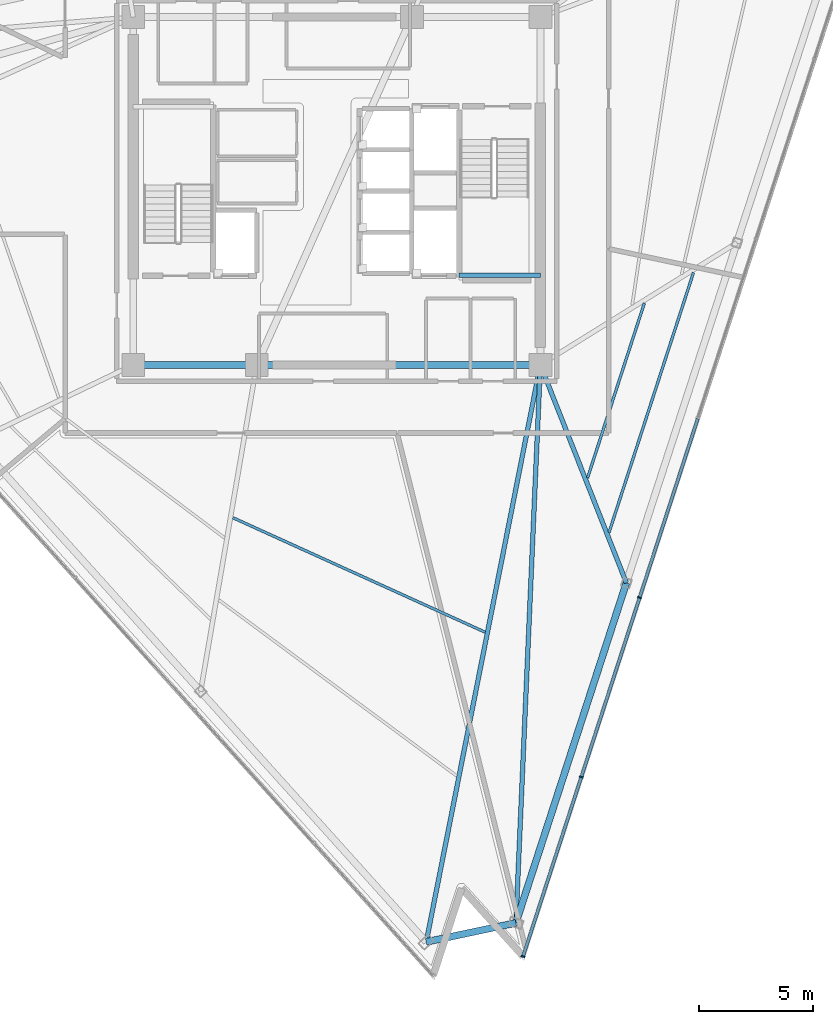
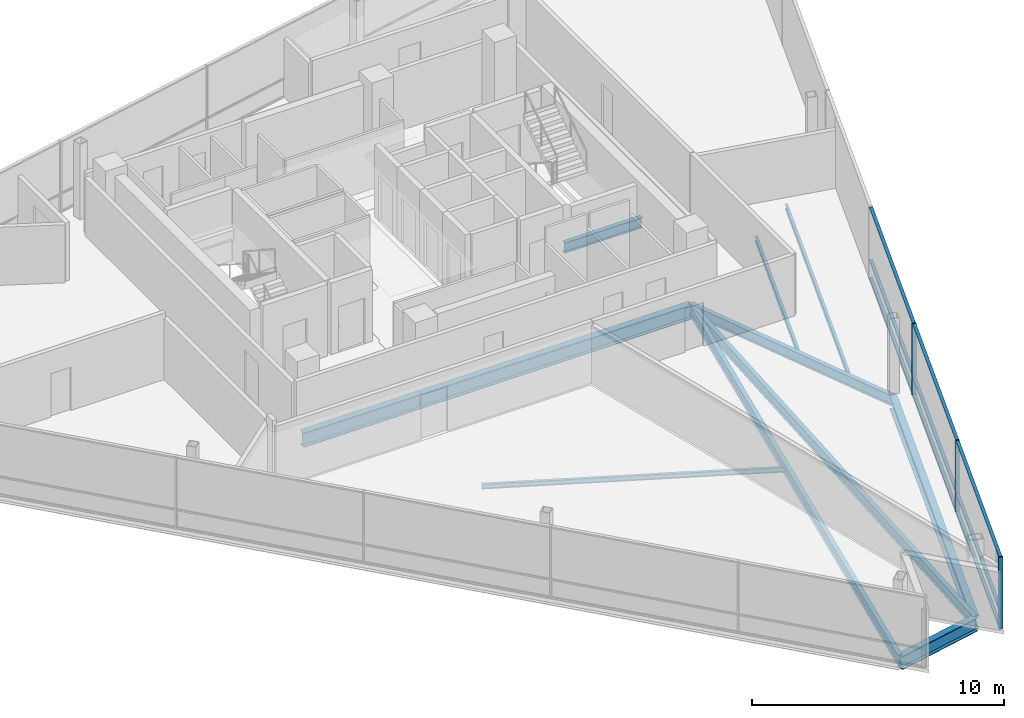
# One storey, part 4 of 15: 12 members, 11 beams, 1 element without a shape of its own.
"""IFC4 building model written with IfcOpenShell, lengths in metres."""

from ifc_helpers import new_model, si_unit, direction, frame, origin, origin_2d, place, context, subcontext, project, spatial, rectangle, i_section, extrude, material, layer, layer_set, material_profile, profile_set, type_object, element, aggregate, save


model = new_model("IFC4")

# Units and contexts
model_context = context("Model", 3, precision=1e-05, world=origin(), true_north=direction((0.0, 1.0)))
body_context = subcontext(model_context, "Body", "Model", "MODEL_VIEW")
ifc_project = project(units=[si_unit("LENGTHUNIT", "METRE"), si_unit("AREAUNIT", "SQUARE_METRE"), si_unit("VOLUMEUNIT", "CUBIC_METRE"), si_unit("PLANEANGLEUNIT", "RADIAN"), si_unit("MASSUNIT", "GRAM", prefix="KILO")], contexts=[model_context])

# Site, building, storey
site_placement = place(None, origin())
site = spatial("IfcSite", under=ifc_project, at=site_placement, CompositionType="ELEMENT")
building_placement = place(site_placement, origin())
building = spatial("IfcBuilding", under=site, at=building_placement, Name="Tharavind Bronze Gate", CompositionType="ELEMENT")
storey_placement = place(building_placement, frame((0.0, 0.0, 283.39990234375)))
storey = spatial("IfcBuildingStorey", under=building, at=storey_placement, Name="L73", CompositionType="ELEMENT", Elevation=283.39990234375)

# Curtain wall, members
ifc_material_1 = material(Name="Anodised Bronze Aluminium", Category="aluminium")
ifc_layer = layer(ifc_material_1, 0.219970703125)
ifc_layer_set = layer_set([ifc_layer], Name="Anodised Bronze Aluminium")
curtain_wall_type = type_object("IfcCurtainWallType", Name="UNITISED CURTAIN WALL CROWN", PredefinedType="USERDEFINED", material=ifc_layer_set)
curtain_wall_placement = place(storey_placement, origin())
curtain_wall = element("IfcCurtainWall", 1, at=curtain_wall_placement, inside=storey, type_object=curtain_wall_type, Name="L73 unitised curtain wall crown CW-L73-S2", ObjectType="UNITISED CURTAIN WALL", PredefinedType="USERDEFINED")
member_type_1 = type_object("IfcMemberType", Name="CURTAIN WALL BRONZE MULLION 65X180", PredefinedType="MULLION", material=ifc_material_1)
member_1_placement = place(storey_placement, frame((8.14111328125, -33.462646484375, 0.0), z_axis=(0.0, 0.0, 1.0), x_axis=(0.309016994375, 0.951056516295, 0.0)))
member_1 = element("IfcMember", 2, at=member_1_placement, type_object=member_type_1, Name="CW-L73-S2 mullion 1", PredefinedType="MULLION", context=body_context, shape_type="SweptSolid", body=[
    extrude(rectangle(XDim=0.06494140625, YDim=0.179931640625, at=origin_2d()), origin(), (0.0, 0.0, 1.0), 3.465087890625),
])
member_2_placement = place(storey_placement, frame((10.68994140625, -25.618408203125, 0.0), z_axis=(0.0, 0.0, 1.0), x_axis=(0.309016994375, 0.951056516295, 0.0)))
member_2 = element("IfcMember", 3, at=member_2_placement, type_object=member_type_1, Name="CW-L73-S2 mullion 2", PredefinedType="MULLION", context=body_context, shape_type="SweptSolid", body=[
    extrude(rectangle(XDim=0.06494140625, YDim=0.179931640625, at=origin_2d()), origin(), (0.0, 0.0, 1.0), 3.465087890625),
])
member_3_placement = place(storey_placement, frame((13.23876953125, -17.77392578125, 0.0), z_axis=(0.0, 0.0, 1.0), x_axis=(0.309016994375, 0.951056516295, 0.0)))
member_3 = element("IfcMember", 4, at=member_3_placement, type_object=member_type_1, Name="CW-L73-S2 mullion 3", PredefinedType="MULLION", context=body_context, shape_type="SweptSolid", body=[
    extrude(rectangle(XDim=0.06494140625, YDim=0.179931640625, at=origin_2d()), origin(), (0.0, 0.0, 1.0), 3.465087890625),
])
member_type_2 = type_object("IfcMemberType", Name="CURTAIN WALL BRONZE TRANSOM 65X140", PredefinedType="USERDEFINED", material=ifc_material_1)
member_4_placement = place(storey_placement, frame((9.41552734375, -29.54052734375, 0.000244140625), z_axis=(0.0, 0.0, 1.0), x_axis=(0.309016994375, 0.951056516295, 0.0)))
member_4 = element("IfcMember", 5, at=member_4_placement, type_object=member_type_2, Name="CW-L73-S2 transom TB1", ObjectType="TRANSOM", PredefinedType="USERDEFINED", context=body_context, shape_type="SweptSolid", body=[
    extrude(rectangle(XDim=8.195068359375, YDim=0.139892578125, at=origin_2d()), origin(), (0.0, 0.0, 1.0), 0.06494140625),
])
member_5_placement = place(storey_placement, frame((9.41552734375, -29.54052734375, 0.86767578125), z_axis=(0.0, 0.0, 1.0), x_axis=(0.309016994375, 0.951056516295, 0.0)))
member_5 = element("IfcMember", 6, at=member_5_placement, type_object=member_type_2, Name="CW-L73-S2 transom TS1", ObjectType="TRANSOM", PredefinedType="USERDEFINED", context=body_context, shape_type="SweptSolid", body=[
    extrude(rectangle(XDim=8.195068359375, YDim=0.139892578125, at=origin_2d()), origin(), (0.0, 0.0, 1.0), 0.06494140625),
])
member_6_placement = place(storey_placement, frame((9.41552734375, -29.54052734375, 3.400146484375), z_axis=(0.0, 0.0, 1.0), x_axis=(0.309016994375, 0.951056516295, 0.0)))
member_6 = element("IfcMember", 7, at=member_6_placement, type_object=member_type_2, Name="CW-L73-S2 transom TT1", ObjectType="TRANSOM", PredefinedType="USERDEFINED", context=body_context, shape_type="SweptSolid", body=[
    extrude(rectangle(XDim=8.195068359375, YDim=0.139892578125, at=origin_2d()), origin(), (0.0, 0.0, 1.0), 0.06494140625),
])
member_7_placement = place(storey_placement, frame((11.96435546875, -21.6962890625, 0.000244140625), z_axis=(0.0, 0.0, 1.0), x_axis=(0.309016994375, 0.951056516295, 0.0)))
member_7 = element("IfcMember", 8, at=member_7_placement, type_object=member_type_2, Name="CW-L73-S2 transom TB2", ObjectType="TRANSOM", PredefinedType="USERDEFINED", context=body_context, shape_type="SweptSolid", body=[
    extrude(rectangle(XDim=8.195068359375, YDim=0.139892578125, at=origin_2d()), origin(), (0.0, 0.0, 1.0), 0.06494140625),
])
member_8_placement = place(storey_placement, frame((11.96435546875, -21.6962890625, 0.86767578125), z_axis=(0.0, 0.0, 1.0), x_axis=(0.309016994375, 0.951056516295, 0.0)))
member_8 = element("IfcMember", 9, at=member_8_placement, type_object=member_type_2, Name="CW-L73-S2 transom TS2", ObjectType="TRANSOM", PredefinedType="USERDEFINED", context=body_context, shape_type="SweptSolid", body=[
    extrude(rectangle(XDim=8.195068359375, YDim=0.139892578125, at=origin_2d()), origin(), (0.0, 0.0, 1.0), 0.06494140625),
])
member_9_placement = place(storey_placement, frame((11.96435546875, -21.6962890625, 3.400146484375), z_axis=(0.0, 0.0, 1.0), x_axis=(0.309016994375, 0.951056516295, 0.0)))
member_9 = element("IfcMember", 10, at=member_9_placement, type_object=member_type_2, Name="CW-L73-S2 transom TT2", ObjectType="TRANSOM", PredefinedType="USERDEFINED", context=body_context, shape_type="SweptSolid", body=[
    extrude(rectangle(XDim=8.195068359375, YDim=0.139892578125, at=origin_2d()), origin(), (0.0, 0.0, 1.0), 0.06494140625),
])
member_10_placement = place(storey_placement, frame((14.51318359375, -13.851806640625, 0.000244140625), z_axis=(0.0, 0.0, 1.0), x_axis=(0.309016994375, 0.951056516295, 0.0)))
member_10 = element("IfcMember", 11, at=member_10_placement, type_object=member_type_2, Name="CW-L73-S2 transom TB3", ObjectType="TRANSOM", PredefinedType="USERDEFINED", context=body_context, shape_type="SweptSolid", body=[
    extrude(rectangle(XDim=8.195068359375, YDim=0.139892578125, at=origin_2d()), origin(), (0.0, 0.0, 1.0), 0.06494140625),
])
member_11_placement = place(storey_placement, frame((14.51318359375, -13.851806640625, 0.86767578125), z_axis=(0.0, 0.0, 1.0), x_axis=(0.309016994375, 0.951056516295, 0.0)))
member_11 = element("IfcMember", 12, at=member_11_placement, type_object=member_type_2, Name="CW-L73-S2 transom TS3", ObjectType="TRANSOM", PredefinedType="USERDEFINED", context=body_context, shape_type="SweptSolid", body=[
    extrude(rectangle(XDim=8.195068359375, YDim=0.139892578125, at=origin_2d()), origin(), (0.0, 0.0, 1.0), 0.06494140625),
])
member_12_placement = place(storey_placement, frame((14.51318359375, -13.851806640625, 3.400146484375), z_axis=(0.0, 0.0, 1.0), x_axis=(0.309016994375, 0.951056516295, 0.0)))
member_12 = element("IfcMember", 13, at=member_12_placement, type_object=member_type_2, Name="CW-L73-S2 transom TT3", ObjectType="TRANSOM", PredefinedType="USERDEFINED", context=body_context, shape_type="SweptSolid", body=[
    extrude(rectangle(XDim=8.195068359375, YDim=0.139892578125, at=origin_2d()), origin(), (0.0, 0.0, 1.0), 0.06494140625),
])
aggregate(curtain_wall, [member_1, member_2, member_3, member_4, member_5, member_6, member_7, member_8, member_9, member_10, member_11, member_12])

# Beams
ifc_material_2 = material(Name="Steel S355", Category="steel")
ifc_material_profile_1 = material_profile(ifc_material_2, i_section(OverallWidth=0.300048828125, OverallDepth=0.64990234375, WebThickness=0.01611328125, FlangeThickness=0.031005859375, at=origin_2d()), Name="HE650B")
ifc_profile_set_1 = profile_set([ifc_material_profile_1], Name="Steel S355")
beam_type_1 = type_object("IfcBeamType", Name="PRIMARY GIRDER HE650B", PredefinedType="USERDEFINED", material=ifc_profile_set_1)
beam_1_placement = place(storey_placement, frame((3.908935546875, -32.82861328125, -0.510009765625), z_axis=(0.978162875873, 0.207839813954, 0.0), x_axis=(-0.207839813954, 0.978162875873, 0.0)))
element("IfcBeam", 14, at=beam_1_placement, inside=storey, type_object=beam_type_1, Name="L73 primary girder he650b BM-L73-PRG04", ObjectType="GIRDER", PredefinedType="USERDEFINED", context=body_context, shape_type="SweptSolid", body=[
    extrude(i_section(OverallWidth=0.300048828125, OverallDepth=0.64990234375, WebThickness=0.01611328125, FlangeThickness=0.031005859375, at=origin_2d()), origin(), (0.0, 0.0, 1.0), 4.0078125),
])
beam_2_placement = place(storey_placement, frame((7.829345703125, -31.99560546875, -0.510009765625), z_axis=(0.309011547215, 0.951058286168, 0.0), x_axis=(-0.951058286168, 0.309011547215, 0.0)))
element("IfcBeam", 15, at=beam_2_placement, inside=storey, type_object=beam_type_1, Name="L73 primary girder he650b BM-L73-PRG05", ObjectType="GIRDER", PredefinedType="USERDEFINED", context=body_context, shape_type="SweptSolid", body=[
    extrude(i_section(OverallWidth=0.300048828125, OverallDepth=0.64990234375, WebThickness=0.01611328125, FlangeThickness=0.031005859375, at=origin_2d()), origin(), (0.0, 0.0, 1.0), 15.6298828125),
])
ifc_material_profile_2 = material_profile(ifc_material_2, i_section(OverallWidth=0.199951171875, OverallDepth=0.5, WebThickness=0.01025390625, FlangeThickness=0.01611328125, at=origin_2d()), Name="IPE500")
ifc_profile_set_2 = profile_set([ifc_material_profile_2], Name="Steel S355")
beam_type_2 = type_object("IfcBeamType", Name="PRIMARY GIRDER IPE500", PredefinedType="USERDEFINED", material=ifc_profile_set_2)
beam_3_placement = place(storey_placement, frame((5.35009765625, -3.679931640625, 1.375), z_axis=(1.0, 0.0, 0.0), x_axis=(0.0, 1.0, 0.0)))
element("IfcBeam", 16, at=beam_3_placement, inside=storey, type_object=beam_type_2, Name="L73 primary girder ipe500 BM-LD-ST2-L73-1", ObjectType="GIRDER", PredefinedType="USERDEFINED", context=body_context, shape_type="SweptSolid", body=[
    extrude(i_section(OverallWidth=0.199951171875, OverallDepth=0.5, WebThickness=0.01025390625, FlangeThickness=0.01611328125, at=origin_2d()), origin(), (0.0, 0.0, 1.0), 3.5498046875),
])
beam_4_placement = place(storey_placement, frame((3.908935546875, -32.82861328125, -0.434814453125), z_axis=(0.194069196249, 0.980987842467, 0.0), x_axis=(-0.980987842467, 0.194069196249, 0.0)))
element("IfcBeam", 17, at=beam_4_placement, inside=storey, type_object=beam_type_2, Name="L73 primary girder ipe500 BM-L73-RAD04", ObjectType="GIRDER", PredefinedType="USERDEFINED", context=body_context, shape_type="SweptSolid", body=[
    extrude(i_section(OverallWidth=0.199951171875, OverallDepth=0.5, WebThickness=0.01025390625, FlangeThickness=0.01611328125, at=origin_2d()), origin(), (0.0, 0.0, 1.0), 25.717529296875),
])
beam_5_placement = place(storey_placement, frame((7.829345703125, -31.99560546875, -0.434814453125), z_axis=(0.043841158128, 0.9990385142, 0.0), x_axis=(-0.9990385142, 0.043841158128, 0.0)))
element("IfcBeam", 18, at=beam_5_placement, inside=storey, type_object=beam_type_2, Name="L73 primary girder ipe500 BM-L73-RAD05", ObjectType="GIRDER", PredefinedType="USERDEFINED", context=body_context, shape_type="SweptSolid", body=[
    extrude(i_section(OverallWidth=0.199951171875, OverallDepth=0.5, WebThickness=0.01025390625, FlangeThickness=0.01611328125, at=origin_2d()), origin(), (0.0, 0.0, 1.0), 24.4189453125),
])
beam_6_placement = place(storey_placement, frame((12.6591796875, -17.130615234375, -0.434814453125), z_axis=(-0.366932678931, 0.930247498859, 0.0), x_axis=(-0.930247498859, -0.366932678931, 0.0)))
element("IfcBeam", 19, at=beam_6_placement, inside=storey, type_object=beam_type_2, Name="L73 primary girder ipe500 BM-L73-RAD06", ObjectType="GIRDER", PredefinedType="USERDEFINED", context=body_context, shape_type="SweptSolid", body=[
    extrude(i_section(OverallWidth=0.199951171875, OverallDepth=0.5, WebThickness=0.01025390625, FlangeThickness=0.01611328125, at=origin_2d()), origin(), (0.0, 0.0, 1.0), 10.2451171875),
])
ifc_material_profile_3 = material_profile(ifc_material_2, i_section(OverallWidth=0.300048828125, OverallDepth=0.699951171875, WebThickness=0.01708984375, FlangeThickness=0.031982421875, at=origin_2d()), Name="HE700B")
ifc_profile_set_3 = profile_set([ifc_material_profile_3], Name="Steel S355")
beam_type_3 = type_object("IfcBeamType", Name="RING GIRDER HE700B", PredefinedType="USERDEFINED", material=ifc_profile_set_3)
beam_7_placement = place(storey_placement, frame((-8.89990234375, -7.60009765625, -0.534912109375), z_axis=(1.0, 0.0, 0.0), x_axis=(0.0, 1.0, 0.0)))
element("IfcBeam", 20, at=beam_7_placement, inside=storey, type_object=beam_type_3, Name="L73 ring girder he700b BM-L73-CR1", ObjectType="GIRDER", PredefinedType="USERDEFINED", context=body_context, shape_type="SweptSolid", body=[
    extrude(i_section(OverallWidth=0.300048828125, OverallDepth=0.699951171875, WebThickness=0.01708984375, FlangeThickness=0.031982421875, at=origin_2d()), origin(), (0.0, 0.0, 1.0), 5.39990234375),
])
beam_8_placement = place(storey_placement, frame((-3.5, -7.60009765625, -0.534912109375), z_axis=(1.0, 0.0, 0.0), x_axis=(0.0, 1.0, 0.0)))
element("IfcBeam", 21, at=beam_8_placement, inside=storey, type_object=beam_type_3, Name="L73 ring girder he700b BM-L73-CR2", ObjectType="GIRDER", PredefinedType="USERDEFINED", context=body_context, shape_type="SweptSolid", body=[
    extrude(i_section(OverallWidth=0.300048828125, OverallDepth=0.699951171875, WebThickness=0.01708984375, FlangeThickness=0.031982421875, at=origin_2d()), origin(), (0.0, 0.0, 1.0), 12.39990234375),
])
ifc_material_profile_4 = material_profile(ifc_material_2, i_section(OverallWidth=0.1201171875, OverallDepth=0.239990234375, WebThickness=0.006103515625, FlangeThickness=0.009765625, at=origin_2d()), Name="IPE240")
ifc_profile_set_4 = profile_set([ifc_material_profile_4], Name="Steel S355")
beam_type_4 = type_object("IfcBeamType", Name="SECONDARY FLOOR JOIST IPE240", PredefinedType="JOIST", material=ifc_profile_set_4)
beam_9_placement = place(storey_placement, frame((-4.543212890625, -14.2822265625, -0.304931640625), z_axis=(0.910570075217, -0.413354736419, 0.0), x_axis=(0.413354736419, 0.910570075217, 0.0)))
element("IfcBeam", 22, at=beam_9_placement, inside=storey, type_object=beam_type_4, Name="L73 secondary floor joist ipe240 BM-L73-JSTA03", PredefinedType="JOIST", context=body_context, shape_type="SweptSolid", body=[
    extrude(i_section(OverallWidth=0.1201171875, OverallDepth=0.239990234375, WebThickness=0.006103515625, FlangeThickness=0.009765625, at=origin_2d()), origin(), (0.0, 0.0, 1.0), 12.10791015625),
])
beam_10_placement = place(storey_placement, frame((10.9609375, -12.545654296875, -0.304931640625), z_axis=(0.309014681119, 0.951057267914, 0.0), x_axis=(-0.951057267914, 0.309014681119, 0.0)))
element("IfcBeam", 23, at=beam_10_placement, inside=storey, type_object=beam_type_4, Name="L73 secondary floor joist ipe240 BM-L73-JSTA06", PredefinedType="JOIST", context=body_context, shape_type="SweptSolid", body=[
    extrude(i_section(OverallWidth=0.1201171875, OverallDepth=0.239990234375, WebThickness=0.006103515625, FlangeThickness=0.009765625, at=origin_2d()), origin(), (0.0, 0.0, 1.0), 8.0419921875),
])
beam_11_placement = place(storey_placement, frame((11.90087890625, -14.92822265625, -0.304931640625), z_axis=(0.309022779796, 0.951054636478, 0.0), x_axis=(-0.951054636478, 0.309022779796, 0.0)))
element("IfcBeam", 24, at=beam_11_placement, inside=storey, type_object=beam_type_4, Name="L73 secondary floor joist ipe240 BM-L73-JSTB06", PredefinedType="JOIST", context=body_context, shape_type="SweptSolid", body=[
    extrude(i_section(OverallWidth=0.1201171875, OverallDepth=0.239990234375, WebThickness=0.006103515625, FlangeThickness=0.009765625, at=origin_2d()), origin(), (0.0, 0.0, 1.0), 11.949462890625),
])

save(model, "model.ifc")
